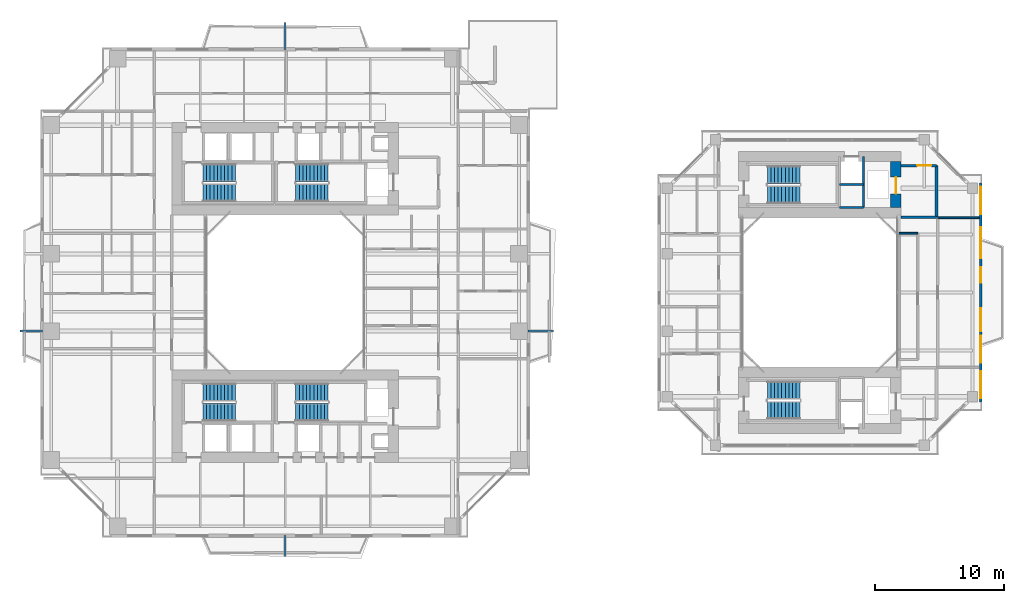
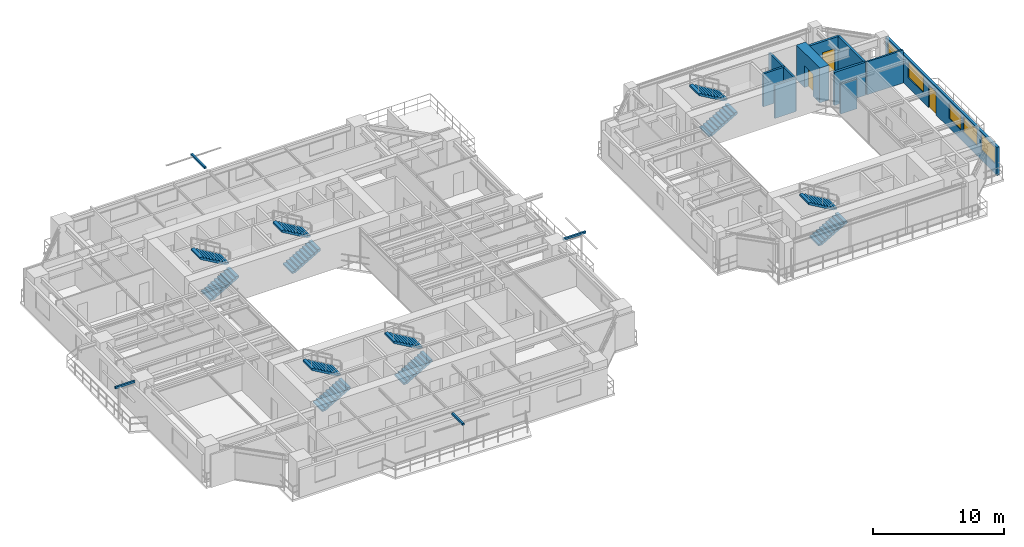
# One storey, part 18 of 23: 12 stair flights, 10 walls, 5 windows, 4 discrete accessories, 3 doors, 8 openings, 6 elements without a shape of their own.
"""IFC4 building model written with IfcOpenShell, lengths in metres."""

from ifc_helpers import new_model, si_unit, direction, frame, frame_2d, origin, origin_2d, place, context, subcontext, project, spatial, polyline, rectangle, outline, extrude, source, transform, mapped, material, layer, layer_set, type_object, element, fill, aggregate, save


model = new_model("IFC4")

# Units and contexts
model_context = context("Model", 3, precision=1e-05, world=origin(), true_north=direction((0.0, 1.0)))
body_context = subcontext(model_context, "Body", "Model", "MODEL_VIEW")
ifc_project = project(units=[si_unit("LENGTHUNIT", "METRE"), si_unit("AREAUNIT", "SQUARE_METRE"), si_unit("VOLUMEUNIT", "CUBIC_METRE"), si_unit("PLANEANGLEUNIT", "RADIAN"), si_unit("MASSUNIT", "GRAM", prefix="KILO"), si_unit("THERMODYNAMICTEMPERATUREUNIT", "KELVIN"), si_unit("POWERUNIT", "WATT")], contexts=[model_context])

# Site, building, storey
site_placement = place(None, origin())
site = spatial("IfcSite", under=ifc_project, at=site_placement, CompositionType="ELEMENT")
building_placement = place(site_placement, origin())
building = spatial("IfcBuilding", under=site, at=building_placement, Name="Qiaomeng Ring Towers", CompositionType="ELEMENT")
storey_placement = place(building_placement, frame((0.0, 0.0, 82.75)))
storey = spatial("IfcBuildingStorey", under=building, at=storey_placement, Name="L23", CompositionType="ELEMENT", Elevation=82.75)

# Wall, openings, windows, door
ifc_material_1 = material(Name="Precast concrete C40", Category="concrete")
ifc_layer_1 = layer(ifc_material_1, 0.219970703125, Name="Precast concrete C40")
ifc_layer_set_1 = layer_set([ifc_layer_1], Name="Precast concrete C40")
wall_type_1 = type_object("IfcWallType", Name="ARC-WL-EW2", PredefinedType="STANDARD", material=ifc_layer_set_1)
wall_1_placement = place(storey_placement, frame((72.989990234375, 14.5, 0.0), z_axis=(0.0, 0.0, 1.0), x_axis=(0.0, 1.0, 0.0)))
wall_1 = element("IfcWall", 1, at=wall_1_placement, inside=storey, type_object=wall_type_1, Name="L23 Companion East Wall", PredefinedType="STANDARD", context=body_context, shape_type="SweptSolid", body=[
    extrude(rectangle(XDim=17.0, YDim=0.219970703125, at=frame_2d((8.5, 0.0))), origin(), (0.0, 0.0, 1.0), 2.610107421875),
])
opening_1_placement = place(wall_1_placement, frame((9.25, 0.0, 0.0)))
opening_1 = element("IfcOpeningElement", 2, at=opening_1_placement, cuts=wall_1, Name="Opening BD1", PredefinedType="OPENING", context=body_context, shape_type="SweptSolid", body=[
    extrude(rectangle(XDim=1.199951171875, YDim=2.10009765625, at=frame_2d((0.60009765625, 1.050048828125))), frame((0.0, 0.119873046875, 0.0), z_axis=(0.0, -1.0, 0.0), x_axis=(1.0, 0.0, 0.0)), (0.0, 0.0, 1.0), 0.239990234375),
])
opening_2_placement = place(wall_1_placement, frame((0.3076171875, 0.0, 0.89990234375)))
opening_2 = element("IfcOpeningElement", 3, at=opening_2_placement, cuts=wall_1, Name="Opening WN4", PredefinedType="OPENING", context=body_context, shape_type="SweptSolid", body=[
    extrude(rectangle(XDim=2.10009765625, YDim=1.5, at=frame_2d((1.050048828125, 0.75))), frame((0.0, 0.119873046875, 0.0), z_axis=(0.0, -1.0, 0.0), x_axis=(1.0, 0.0, 0.0)), (0.0, 0.0, 1.0), 0.239990234375),
])
opening_3_placement = place(wall_1_placement, frame((5.47509765625, 0.0, 0.89990234375)))
opening_3 = element("IfcOpeningElement", 4, at=opening_3_placement, cuts=wall_1, Name="Opening WN1", PredefinedType="OPENING", context=body_context, shape_type="SweptSolid", body=[
    extrude(rectangle(XDim=1.800048828125, YDim=1.449951171875, at=frame_2d((0.89990234375, 0.72509765625))), frame((0.0, 0.119873046875, 0.0), z_axis=(0.0, -1.0, 0.0), x_axis=(1.0, 0.0, 0.0)), (0.0, 0.0, 1.0), 0.239990234375),
])
opening_4_placement = place(wall_1_placement, frame((14.592529296875, 0.0, 0.89990234375)))
opening_4 = element("IfcOpeningElement", 5, at=opening_4_placement, cuts=wall_1, Name="Opening WN4", PredefinedType="OPENING", context=body_context, shape_type="SweptSolid", body=[
    extrude(rectangle(XDim=2.10009765625, YDim=1.5, at=frame_2d((1.050048828125, 0.75))), frame((0.0, 0.119873046875, 0.0), z_axis=(0.0, -1.0, 0.0), x_axis=(1.0, 0.0, 0.0)), (0.0, 0.0, 1.0), 0.239990234375),
])
opening_5_placement = place(wall_1_placement, frame((3.054931640625, 0.0, 0.89990234375)))
opening_5 = element("IfcOpeningElement", 6, at=opening_5_placement, cuts=wall_1, Name="Opening WN4", PredefinedType="OPENING", context=body_context, shape_type="SweptSolid", body=[
    extrude(rectangle(XDim=2.10009765625, YDim=1.5, at=frame_2d((1.050048828125, 0.75))), frame((0.0, 0.119873046875, 0.0), z_axis=(0.0, -1.0, 0.0), x_axis=(1.0, 0.0, 0.0)), (0.0, 0.0, 1.0), 0.239990234375),
])
opening_6_placement = place(wall_1_placement, frame((11.16748046875, 0.0, 0.89990234375)))
opening_6 = element("IfcOpeningElement", 7, at=opening_6_placement, cuts=wall_1, Name="Opening WN6", PredefinedType="OPENING", context=body_context, shape_type="SweptSolid", body=[
    extrude(rectangle(XDim=2.39990234375, YDim=1.5, at=frame_2d((1.199951171875, 0.75))), frame((0.0, 0.119873046875, 0.0), z_axis=(0.0, -1.0, 0.0), x_axis=(1.0, 0.0, 0.0)), (0.0, 0.0, 1.0), 0.239990234375),
])
ifc_material_2 = material(Name="Low-E dark-grey laminated double glazing", Category="glass")
window_type_1 = type_object("IfcWindowType", Name="ARC-WN-4", PartitioningType="TRIPLE_PANEL_VERTICAL", PredefinedType="WINDOW", material=ifc_material_2)
shared_shape_1 = source(origin(), body_context, "Body", "SweptSolid", [
    extrude(rectangle(XDim=2.10009765625, YDim=1.5, at=frame_2d((1.050048828125, 0.75))), frame((0.0, 0.030029296875, 0.0), z_axis=(0.0, -1.0, 0.0), x_axis=(1.0, 0.0, 0.0)), (0.0, 0.0, 1.0), 0.06005859375),
])
window_1_placement = place(opening_2_placement, origin())
window_1 = element("IfcWindow", 8, at=window_1_placement, inside=storey, type_object=window_type_1, Name="L23 Exterior Window WN6", OverallHeight=1.5, OverallWidth=2.10009765625, PartitioningType="TRIPLE_PANEL_VERTICAL", PredefinedType="WINDOW", context=body_context, shape_type="MappedRepresentation", body=[
    mapped(shared_shape_1, transform((0.0, 0.0, 0.0), x_axis=(1.0, 0.0, 0.0), y_axis=(0.0, 1.0, 0.0), z_axis=(0.0, 0.0, 1.0), scale=1.0)),
])
fill(opening_2, window_1)
window_2_placement = place(opening_4_placement, origin())
window_2 = element("IfcWindow", 9, at=window_2_placement, inside=storey, type_object=window_type_1, Name="L23 Exterior Window WN4", OverallHeight=1.5, OverallWidth=2.10009765625, PartitioningType="TRIPLE_PANEL_VERTICAL", PredefinedType="WINDOW", context=body_context, shape_type="MappedRepresentation", body=[
    mapped(shared_shape_1, transform((0.0, 0.0, 0.0), x_axis=(1.0, 0.0, 0.0), y_axis=(0.0, 1.0, 0.0), z_axis=(0.0, 0.0, 1.0), scale=1.0)),
])
fill(opening_4, window_2)
window_3_placement = place(opening_5_placement, origin())
window_3 = element("IfcWindow", 10, at=window_3_placement, inside=storey, type_object=window_type_1, Name="L23 Exterior Window WN4", OverallHeight=1.5, OverallWidth=2.10009765625, PartitioningType="TRIPLE_PANEL_VERTICAL", PredefinedType="WINDOW", context=body_context, shape_type="MappedRepresentation", body=[
    mapped(shared_shape_1, transform((0.0, 0.0, 0.0), x_axis=(1.0, 0.0, 0.0), y_axis=(0.0, 1.0, 0.0), z_axis=(0.0, 0.0, 1.0), scale=1.0)),
])
fill(opening_5, window_3)
window_type_2 = type_object("IfcWindowType", Name="ARC-WN-1", PartitioningType="DOUBLE_PANEL_VERTICAL", PredefinedType="WINDOW", material=ifc_material_2)
shared_shape_2 = source(origin(), body_context, "Body", "SweptSolid", [
    extrude(rectangle(XDim=1.800048828125, YDim=1.449951171875, at=frame_2d((0.89990234375, 0.72509765625))), frame((0.0, 0.030029296875, 0.0), z_axis=(0.0, -1.0, 0.0), x_axis=(1.0, 0.0, 0.0)), (0.0, 0.0, 1.0), 0.06005859375),
])
window_4_placement = place(opening_3_placement, origin())
window_4 = element("IfcWindow", 11, at=window_4_placement, inside=storey, type_object=window_type_2, Name="L23 Exterior Window WN1", OverallHeight=1.449951171875, OverallWidth=1.800048828125, PartitioningType="DOUBLE_PANEL_VERTICAL", PredefinedType="WINDOW", context=body_context, shape_type="MappedRepresentation", body=[
    mapped(shared_shape_2, transform((0.0, 0.0, 0.0), x_axis=(1.0, 0.0, 0.0), y_axis=(0.0, 1.0, 0.0), z_axis=(0.0, 0.0, 1.0), scale=1.0)),
])
fill(opening_3, window_4)
door_type_1 = type_object("IfcDoorType", Name="ARC-DR-BD1", OperationType="NOTDEFINED", PredefinedType="DOOR", material=ifc_material_2)
shared_shape_3 = source(origin(), body_context, "Body", "SweptSolid", [
    extrude(rectangle(XDim=1.199951171875, YDim=2.10009765625, at=frame_2d((0.60009765625, 1.050048828125))), frame((0.0, 0.02490234375, 0.0), z_axis=(0.0, -1.0, 0.0), x_axis=(1.0, 0.0, 0.0)), (0.0, 0.0, 1.0), 0.050048828125),
])
door_1_placement = place(opening_1_placement, origin())
door_1 = element("IfcDoor", 12, at=door_1_placement, inside=storey, type_object=door_type_1, Name="L23 Companion East Balcony Door", OperationType="SINGLE_SWING_LEFT", OverallHeight=2.10009765625, OverallWidth=1.199951171875, PredefinedType="DOOR", context=body_context, shape_type="MappedRepresentation", body=[
    mapped(shared_shape_3, transform((0.0, 0.0, 0.0), x_axis=(1.0, 0.0, 0.0), y_axis=(0.0, 1.0, 0.0), z_axis=(0.0, 0.0, 1.0), scale=1.0)),
])
fill(opening_1, door_1)
window_type_3 = type_object("IfcWindowType", Name="ARC-WN-6", PartitioningType="TRIPLE_PANEL_VERTICAL", PredefinedType="WINDOW", material=ifc_material_2)
shared_shape_4 = source(origin(), body_context, "Body", "SweptSolid", [
    extrude(rectangle(XDim=2.39990234375, YDim=1.5, at=frame_2d((1.199951171875, 0.75))), frame((0.0, 0.030029296875, 0.0), z_axis=(0.0, -1.0, 0.0), x_axis=(1.0, 0.0, 0.0)), (0.0, 0.0, 1.0), 0.06005859375),
])
window_5_placement = place(opening_6_placement, origin())
window_5 = element("IfcWindow", 13, at=window_5_placement, inside=storey, type_object=window_type_3, Name="L23 Exterior Window WN6", OverallHeight=1.5, OverallWidth=2.39990234375, PartitioningType="TRIPLE_PANEL_VERTICAL", PredefinedType="WINDOW", context=body_context, shape_type="MappedRepresentation", body=[
    mapped(shared_shape_4, transform((0.0, 0.0, 0.0), x_axis=(1.0, 0.0, 0.0), y_axis=(0.0, 1.0, 0.0), z_axis=(0.0, 0.0, 1.0), scale=1.0)),
])
fill(opening_6, window_5)

# Walls
ifc_material_3 = material(Name="Autoclaved aerated concrete block", Category="concrete")
ifc_layer_2 = layer(ifc_material_3, 0.199951171875, Name="Autoclaved aerated concrete block")
ifc_layer_set_2 = layer_set([ifc_layer_2], Name="Autoclaved aerated concrete block")
wall_type_2 = type_object("IfcWallType", Name="ARC-WL-PW1", PredefinedType="PARTITIONING", material=ifc_layer_set_2)
wall_2_placement = place(storey_placement, frame((66.800048828125, 28.85009765625, 0.0), z_axis=(0.0, 0.0, 1.0), x_axis=(1.0, 0.0, 0.0)))
element("IfcWall", 14, at=wall_2_placement, inside=storey, type_object=wall_type_2, Name="L23 Interior Wall PW1", PredefinedType="PARTITIONING", context=body_context, shape_type="SweptSolid", body=[
    extrude(rectangle(XDim=2.75, YDim=0.199951171875, at=frame_2d((1.375, 0.0))), origin(), (0.0, 0.0, 1.0), 3.070068359375),
])
wall_3_placement = place(storey_placement, frame((69.550048828125, 28.85009765625, 0.0), z_axis=(0.0, 0.0, 1.0), x_axis=(0.0, 1.0, 0.0)))
element("IfcWall", 15, at=wall_3_placement, inside=storey, type_object=wall_type_2, Name="L23 Interior Wall PW1", PredefinedType="PARTITIONING", context=body_context, shape_type="SweptSolid", body=[
    extrude(rectangle(XDim=4.0, YDim=0.199951171875, at=frame_2d((2.0, 0.0))), origin(), (0.0, 0.0, 1.0), 3.070068359375),
])

# Wall, opening, door
wall_4_placement = place(storey_placement, frame((66.800048828125, 32.85009765625, 0.0), z_axis=(0.0, 0.0, 1.0), x_axis=(1.0, 0.0, 0.0)))
wall_4 = element("IfcWall", 16, at=wall_4_placement, inside=storey, type_object=wall_type_2, Name="L23 Interior Wall PW1", PredefinedType="PARTITIONING", context=body_context, shape_type="SweptSolid", body=[
    extrude(rectangle(XDim=2.75, YDim=0.199951171875, at=frame_2d((1.375, 0.0))), origin(), (0.0, 0.0, 1.0), 3.070068359375),
])
opening_7_placement = place(wall_4_placement, frame((1.25, 0.0, 0.0)))
opening_7 = element("IfcOpeningElement", 17, at=opening_7_placement, cuts=wall_4, Name="Opening FD3", PredefinedType="OPENING", context=body_context, shape_type="SweptSolid", body=[
    extrude(rectangle(XDim=1.10009765625, YDim=2.050048828125, at=frame_2d((0.550048828125, 1.02490234375))), frame((0.0, 0.10986328125, 0.0), z_axis=(0.0, -1.0, 0.0), x_axis=(1.0, 0.0, 0.0)), (0.0, 0.0, 1.0), 0.219970703125),
])
ifc_material_4 = material(Name="Galvanised steel", Category="steel")
door_type_2 = type_object("IfcDoorType", Name="ARC-DR-FD3", OperationType="NOTDEFINED", PredefinedType="DOOR", material=ifc_material_4)
shared_shape_5 = source(origin(), body_context, "Body", "SweptSolid", [
    extrude(rectangle(XDim=1.10009765625, YDim=2.050048828125, at=frame_2d((0.550048828125, 1.02490234375))), frame((0.0, 0.02490234375, 0.0), z_axis=(0.0, -1.0, 0.0), x_axis=(1.0, 0.0, 0.0)), (0.0, 0.0, 1.0), 0.050048828125),
])
door_2_placement = place(opening_7_placement, origin())
door_2 = element("IfcDoor", 18, at=door_2_placement, inside=storey, type_object=door_type_2, Name="L23 Door FD3", OperationType="SINGLE_SWING_LEFT", OverallHeight=2.050048828125, OverallWidth=1.10009765625, PredefinedType="DOOR", context=body_context, shape_type="MappedRepresentation", body=[
    mapped(shared_shape_5, transform((0.0, 0.0, 0.0), x_axis=(1.0, 0.0, 0.0), y_axis=(0.0, 1.0, 0.0), z_axis=(0.0, 0.0, 1.0), scale=1.0)),
])
fill(opening_7, door_2)

# Walls
ifc_material_5 = material(Name="Gypsum fireboard steel-stud partition", Category="steel")
ifc_layer_3 = layer(ifc_material_5, 0.14990234375, Name="Gypsum fireboard steel-stud partition")
ifc_layer_set_3 = layer_set([ifc_layer_3], Name="Gypsum fireboard steel-stud partition")
wall_type_3 = type_object("IfcWallType", Name="ARC-WL-PW3", PredefinedType="PARTITIONING", material=ifc_layer_set_3)
wall_5_placement = place(storey_placement, frame((69.64990234375, 28.800048828125, 0.0), z_axis=(0.0, 0.0, 1.0), x_axis=(1.0, 0.0, 0.0)))
element("IfcWall", 19, at=wall_5_placement, inside=storey, type_object=wall_type_3, Name="L23 Interior Wall PW3", PredefinedType="PARTITIONING", context=body_context, shape_type="SweptSolid", body=[
    extrude(rectangle(XDim=3.2001953125, YDim=0.14990234375, at=frame_2d((1.60009765625, 0.0))), origin(), (0.0, 0.0, 1.0), 3.070068359375),
])
wall_6_placement = place(storey_placement, frame((66.64990234375, 27.60009765625, 0.0), z_axis=(0.0, 0.0, 1.0), x_axis=(1.0, 0.0, 0.0)))
element("IfcWall", 20, at=wall_6_placement, inside=storey, type_object=wall_type_3, Name="L23 Interior Wall PW3", PredefinedType="PARTITIONING", context=body_context, shape_type="SweptSolid", body=[
    extrude(rectangle(XDim=1.4501953125, YDim=0.14990234375, at=frame_2d((0.72509765625, 0.0))), origin(), (0.0, 0.0, 1.0), 2.77099609375),
])
ifc_material_6 = material(Name="Concrete C40", Category="concrete")
ifc_layer_4 = layer(ifc_material_6, 0.199951171875, Name="Concrete C40")
ifc_layer_set_4 = layer_set([ifc_layer_4], Name="Concrete C40")
wall_type_4 = type_object("IfcWallType", Name="STR-WL-STSHAFT", PredefinedType="SHEAR", material=ifc_layer_set_4)
wall_7_placement = place(storey_placement, frame((63.8798828125, 29.60009765625, 0.0), z_axis=(0.0, 0.0, 1.0), x_axis=(0.0, 1.0, 0.0)))
element("IfcWall", 21, at=wall_7_placement, inside=storey, type_object=wall_type_4, Name="L23 Companion Lift Shaft East Wall N", PredefinedType="SHEAR", context=body_context, shape_type="SweptSolid", body=[
    extrude(rectangle(XDim=3.949951171875, YDim=0.179931640625, at=frame_2d((1.97509765625, 0.0))), origin(), (0.0, 0.0, 1.0), 3.070068359375),
])
for number, where, z_axis, x_axis, name in (
    (22, (62.02001953125, 31.3798828125, 0.0), (0.0, 0.0, 1.0), (1.0, 0.0, 0.0), "L23 Companion Lift Shaft Divider Wall N"),
    (23, (62.02001953125, 29.60009765625, 0.0), (0.0, 0.0, 1.0), (1.0, 0.0, 0.0), "L23 Companion Riser Shaft Back Wall N"),
):
    element("IfcWall", number, at=place(storey_placement, frame(where, z_axis=z_axis, x_axis=x_axis)), inside=storey, type_object=wall_type_4, Name=name, PredefinedType="SHEAR", context=body_context, shape_type="SweptSolid", body=[
        extrude(rectangle(XDim=1.85986328125, YDim=0.179931640625, at=frame_2d((0.929931640625, 0.0))), origin(), (0.0, 0.0, 1.0), 3.070068359375),
    ])

# Wall, opening, door
ifc_material_7 = material(Name="Concrete C60", Category="concrete")
ifc_layer_5 = layer(ifc_material_7, 0.800048828125, Name="Concrete C60")
ifc_layer_set_5 = layer_set([ifc_layer_5], Name="Concrete C60")
wall_type_5 = type_object("IfcWallType", Name="STR-WL-SW1", PredefinedType="SHEAR", material=ifc_layer_set_5)
wall_8_placement = place(storey_placement, frame((66.39990234375, 29.60009765625, 0.0), z_axis=(0.0, 0.0, 1.0), x_axis=(0.0, 1.0, 0.0)))
wall_8 = element("IfcWall", 24, at=wall_8_placement, inside=storey, type_object=wall_type_5, Name="L23 T2NC east core shear wall", PredefinedType="SHEAR", context=body_context, shape_type="SweptSolid", body=[
    extrude(rectangle(XDim=3.5498046875, YDim=0.800048828125, at=frame_2d((1.77490234375, 0.0))), origin(), (0.0, 0.0, 1.0), 3.25),
])
opening_8_placement = place(wall_8_placement, frame((1.050048828125, 0.0, 0.0)))
opening_8 = element("IfcOpeningElement", 25, at=opening_8_placement, cuts=wall_8, Name="Opening LD2", PredefinedType="OPENING", context=body_context, shape_type="SweptSolid", body=[
    extrude(rectangle(XDim=1.300048828125, YDim=2.050048828125, at=frame_2d((0.64990234375, 1.02490234375))), frame((0.0, 0.409912109375, 0.0), z_axis=(0.0, -1.0, 0.0), x_axis=(1.0, 0.0, 0.0)), (0.0, 0.0, 1.0), 0.820068359375),
])
ifc_material_8 = material(Name="Stainless steel 316", Category="steel")
door_type_3 = type_object("IfcDoorType", Name="ARC-DR-LD2", OperationType="NOTDEFINED", PredefinedType="DOOR", material=ifc_material_8)
shared_shape_6 = source(origin(), body_context, "Body", "SweptSolid", [
    extrude(rectangle(XDim=1.300048828125, YDim=2.050048828125, at=frame_2d((0.64990234375, 1.02490234375))), frame((0.0, 0.02490234375, 0.0), z_axis=(0.0, -1.0, 0.0), x_axis=(1.0, 0.0, 0.0)), (0.0, 0.0, 1.0), 0.050048828125),
])
door_3_placement = place(opening_8_placement, origin())
door_3 = element("IfcDoor", 26, at=door_3_placement, inside=storey, type_object=door_type_3, Name="L23 Firefighting Lift FL3 Landing Door", OperationType="SLIDING_TO_LEFT", OverallHeight=2.050048828125, OverallWidth=1.300048828125, PredefinedType="DOOR", context=body_context, shape_type="MappedRepresentation", body=[
    mapped(shared_shape_6, transform((0.0, 0.0, 0.0), x_axis=(1.0, 0.0, 0.0), y_axis=(0.0, 1.0, 0.0), z_axis=(0.0, 0.0, 1.0), scale=1.0)),
])
fill(opening_8, door_3)

# Stair, stair flights
stair_type = type_object("IfcStairType", Name="ARC-ST-325", PredefinedType="HALF_TURN_STAIR", material=ifc_material_1)
stair_1_placement = place(storey_placement, origin())
stair_1 = element("IfcStair", 27, at=stair_1_placement, inside=storey, type_object=stair_type, Name="L23 Tower 1 North Stair 1", PredefinedType="HALF_TURN_STAIR")
stair_flight_type = type_object("IfcStairFlightType", Name="ARC-ST-325-FL", PredefinedType="STRAIGHT", material=ifc_material_1)
shared_shape_7 = source(origin(), body_context, "Body", "SweptSolid", [
    extrude(outline(polyline([(0.0, 0.0), (0.0, 0.16259765625), (0.280029296875, 0.16259765625), (0.280029296875, 0.324951171875), (0.56005859375, 0.324951171875), (0.56005859375, 0.487548828125), (0.840087890625, 0.487548828125), (0.840087890625, 0.64990234375), (1.1201171875, 0.64990234375), (1.1201171875, 0.8125), (1.39990234375, 0.8125), (1.39990234375, 0.97509765625), (1.679931640625, 0.97509765625), (1.679931640625, 1.137451171875), (1.9599609375, 1.137451171875), (1.9599609375, 1.300048828125), (2.239990234375, 1.300048828125), (2.239990234375, 1.46240234375), (2.52001953125, 1.46240234375), (2.52001953125, 1.625), (2.52001953125, 1.2890625), (0.298583984375, 0.0), (0.0, 0.0)])), frame((0.0, 0.699951171875, 0.0), z_axis=(0.0, -1.0, 0.0), x_axis=(1.0, 0.0, 0.0)), (0.0, 0.0, 1.0), 1.39990234375),
])
stair_flight_1_placement = place(storey_placement, frame((12.6201171875, 30.75, 0.0), z_axis=(0.0, 0.0, 1.0), x_axis=(1.0, 0.0, 0.0)))
stair_flight_1 = element("IfcStairFlight", 28, at=stair_flight_1_placement, type_object=stair_flight_type, Name="ST1 flight 1", NumberOfRisers=10, NumberOfTreads=9, PredefinedType="STRAIGHT", RiserHeight=0.1625, TreadLength=0.28, context=body_context, shape_type="MappedRepresentation", body=[
    mapped(shared_shape_7, transform((0.0, 0.0, 0.0), x_axis=(1.0, 0.0, 0.0), y_axis=(0.0, 1.0, 0.0), z_axis=(0.0, 0.0, 1.0), scale=1.0)),
])
stair_flight_2_placement = place(storey_placement, frame((15.139892578125, 32.2900390625, 1.625), z_axis=(0.0, 0.0, 1.0), x_axis=(-1.0, 0.0, 0.0)))
stair_flight_2 = element("IfcStairFlight", 29, at=stair_flight_2_placement, type_object=stair_flight_type, Name="ST1 flight 2", NumberOfRisers=10, NumberOfTreads=9, PredefinedType="STRAIGHT", RiserHeight=0.1625, TreadLength=0.28, context=body_context, shape_type="MappedRepresentation", body=[
    mapped(shared_shape_7, transform((0.0, 0.0, 0.0), x_axis=(1.0, 0.0, 0.0), y_axis=(0.0, 1.0, 0.0), z_axis=(0.0, 0.0, 1.0), scale=1.0)),
])
aggregate(stair_1, [stair_flight_1, stair_flight_2])

stair_2_placement = place(storey_placement, origin())
stair_2 = element("IfcStair", 30, at=stair_2_placement, inside=storey, type_object=stair_type, Name="L23 Tower 1 North Stair 2", PredefinedType="HALF_TURN_STAIR")
stair_flight_3_placement = place(storey_placement, frame((19.820068359375, 30.75, 0.0), z_axis=(0.0, 0.0, 1.0), x_axis=(1.0, 0.0, 0.0)))
stair_flight_3 = element("IfcStairFlight", 31, at=stair_flight_3_placement, type_object=stair_flight_type, Name="ST2 flight 1", NumberOfRisers=10, NumberOfTreads=9, PredefinedType="STRAIGHT", RiserHeight=0.1625, TreadLength=0.28, context=body_context, shape_type="MappedRepresentation", body=[
    mapped(shared_shape_7, transform((0.0, 0.0, 0.0), x_axis=(1.0, 0.0, 0.0), y_axis=(0.0, 1.0, 0.0), z_axis=(0.0, 0.0, 1.0), scale=1.0)),
])
stair_flight_4_placement = place(storey_placement, frame((22.340087890625, 32.2900390625, 1.625), z_axis=(0.0, 0.0, 1.0), x_axis=(-1.0, 0.0, 0.0)))
stair_flight_4 = element("IfcStairFlight", 32, at=stair_flight_4_placement, type_object=stair_flight_type, Name="ST2 flight 2", NumberOfRisers=10, NumberOfTreads=9, PredefinedType="STRAIGHT", RiserHeight=0.1625, TreadLength=0.28, context=body_context, shape_type="MappedRepresentation", body=[
    mapped(shared_shape_7, transform((0.0, 0.0, 0.0), x_axis=(1.0, 0.0, 0.0), y_axis=(0.0, 1.0, 0.0), z_axis=(0.0, 0.0, 1.0), scale=1.0)),
])
aggregate(stair_2, [stair_flight_3, stair_flight_4])

stair_3_placement = place(storey_placement, origin())
stair_3 = element("IfcStair", 33, at=stair_3_placement, inside=storey, type_object=stair_type, Name="L23 Tower 1 South Stair 3", PredefinedType="HALF_TURN_STAIR")
stair_flight_5_placement = place(storey_placement, frame((12.6201171875, 13.7099609375, 0.0), z_axis=(0.0, 0.0, 1.0), x_axis=(1.0, 0.0, 0.0)))
stair_flight_5 = element("IfcStairFlight", 34, at=stair_flight_5_placement, type_object=stair_flight_type, Name="ST3 flight 1", NumberOfRisers=10, NumberOfTreads=9, PredefinedType="STRAIGHT", RiserHeight=0.1625, TreadLength=0.28, context=body_context, shape_type="MappedRepresentation", body=[
    mapped(shared_shape_7, transform((0.0, 0.0, 0.0), x_axis=(1.0, 0.0, 0.0), y_axis=(0.0, 1.0, 0.0), z_axis=(0.0, 0.0, 1.0), scale=1.0)),
])
stair_flight_6_placement = place(storey_placement, frame((15.139892578125, 15.25, 1.625), z_axis=(0.0, 0.0, 1.0), x_axis=(-1.0, 0.0, 0.0)))
stair_flight_6 = element("IfcStairFlight", 35, at=stair_flight_6_placement, type_object=stair_flight_type, Name="ST3 flight 2", NumberOfRisers=10, NumberOfTreads=9, PredefinedType="STRAIGHT", RiserHeight=0.1625, TreadLength=0.28, context=body_context, shape_type="MappedRepresentation", body=[
    mapped(shared_shape_7, transform((0.0, 0.0, 0.0), x_axis=(1.0, 0.0, 0.0), y_axis=(0.0, 1.0, 0.0), z_axis=(0.0, 0.0, 1.0), scale=1.0)),
])
aggregate(stair_3, [stair_flight_5, stair_flight_6])

stair_4_placement = place(storey_placement, origin())
stair_4 = element("IfcStair", 36, at=stair_4_placement, inside=storey, type_object=stair_type, Name="L23 Tower 1 South Stair 4", PredefinedType="HALF_TURN_STAIR")
stair_flight_7_placement = place(storey_placement, frame((19.820068359375, 13.7099609375, 0.0), z_axis=(0.0, 0.0, 1.0), x_axis=(1.0, 0.0, 0.0)))
stair_flight_7 = element("IfcStairFlight", 37, at=stair_flight_7_placement, type_object=stair_flight_type, Name="ST4 flight 1", NumberOfRisers=10, NumberOfTreads=9, PredefinedType="STRAIGHT", RiserHeight=0.1625, TreadLength=0.28, context=body_context, shape_type="MappedRepresentation", body=[
    mapped(shared_shape_7, transform((0.0, 0.0, 0.0), x_axis=(1.0, 0.0, 0.0), y_axis=(0.0, 1.0, 0.0), z_axis=(0.0, 0.0, 1.0), scale=1.0)),
])
stair_flight_8_placement = place(storey_placement, frame((22.340087890625, 15.25, 1.625), z_axis=(0.0, 0.0, 1.0), x_axis=(-1.0, 0.0, 0.0)))
stair_flight_8 = element("IfcStairFlight", 38, at=stair_flight_8_placement, type_object=stair_flight_type, Name="ST4 flight 2", NumberOfRisers=10, NumberOfTreads=9, PredefinedType="STRAIGHT", RiserHeight=0.1625, TreadLength=0.28, context=body_context, shape_type="MappedRepresentation", body=[
    mapped(shared_shape_7, transform((0.0, 0.0, 0.0), x_axis=(1.0, 0.0, 0.0), y_axis=(0.0, 1.0, 0.0), z_axis=(0.0, 0.0, 1.0), scale=1.0)),
])
aggregate(stair_4, [stair_flight_7, stair_flight_8])

stair_5_placement = place(storey_placement, origin())
stair_5 = element("IfcStair", 39, at=stair_5_placement, inside=storey, type_object=stair_type, Name="L23 Companion North Stair 5", PredefinedType="HALF_TURN_STAIR")
stair_flight_9_placement = place(storey_placement, frame((56.419921875, 30.60009765625, 0.0), z_axis=(0.0, 0.0, 1.0), x_axis=(1.0, 0.0, 0.0)))
stair_flight_9 = element("IfcStairFlight", 40, at=stair_flight_9_placement, type_object=stair_flight_type, Name="ST5 flight 1", NumberOfRisers=10, NumberOfTreads=9, PredefinedType="STRAIGHT", RiserHeight=0.1625, TreadLength=0.28, context=body_context, shape_type="MappedRepresentation", body=[
    mapped(shared_shape_7, transform((0.0, 0.0, 0.0), x_axis=(1.0, 0.0, 0.0), y_axis=(0.0, 1.0, 0.0), z_axis=(0.0, 0.0, 1.0), scale=1.0)),
])
stair_flight_10_placement = place(storey_placement, frame((58.93994140625, 32.139892578125, 1.625), z_axis=(0.0, 0.0, 1.0), x_axis=(-1.0, 0.0, 0.0)))
stair_flight_10 = element("IfcStairFlight", 41, at=stair_flight_10_placement, type_object=stair_flight_type, Name="ST5 flight 2", NumberOfRisers=10, NumberOfTreads=9, PredefinedType="STRAIGHT", RiserHeight=0.1625, TreadLength=0.28, context=body_context, shape_type="MappedRepresentation", body=[
    mapped(shared_shape_7, transform((0.0, 0.0, 0.0), x_axis=(1.0, 0.0, 0.0), y_axis=(0.0, 1.0, 0.0), z_axis=(0.0, 0.0, 1.0), scale=1.0)),
])
aggregate(stair_5, [stair_flight_9, stair_flight_10])

stair_6_placement = place(storey_placement, origin())
stair_6 = element("IfcStair", 42, at=stair_6_placement, inside=storey, type_object=stair_type, Name="L23 Companion South Stair 6", PredefinedType="HALF_TURN_STAIR")
stair_flight_11_placement = place(storey_placement, frame((56.419921875, 13.860107421875, 0.0), z_axis=(0.0, 0.0, 1.0), x_axis=(1.0, 0.0, 0.0)))
stair_flight_11 = element("IfcStairFlight", 43, at=stair_flight_11_placement, type_object=stair_flight_type, Name="ST6 flight 1", NumberOfRisers=10, NumberOfTreads=9, PredefinedType="STRAIGHT", RiserHeight=0.1625, TreadLength=0.28, context=body_context, shape_type="MappedRepresentation", body=[
    mapped(shared_shape_7, transform((0.0, 0.0, 0.0), x_axis=(1.0, 0.0, 0.0), y_axis=(0.0, 1.0, 0.0), z_axis=(0.0, 0.0, 1.0), scale=1.0)),
])
stair_flight_12_placement = place(storey_placement, frame((58.93994140625, 15.39990234375, 1.625), z_axis=(0.0, 0.0, 1.0), x_axis=(-1.0, 0.0, 0.0)))
stair_flight_12 = element("IfcStairFlight", 44, at=stair_flight_12_placement, type_object=stair_flight_type, Name="ST6 flight 2", NumberOfRisers=10, NumberOfTreads=9, PredefinedType="STRAIGHT", RiserHeight=0.1625, TreadLength=0.28, context=body_context, shape_type="MappedRepresentation", body=[
    mapped(shared_shape_7, transform((0.0, 0.0, 0.0), x_axis=(1.0, 0.0, 0.0), y_axis=(0.0, 1.0, 0.0), z_axis=(0.0, 0.0, 1.0), scale=1.0)),
])
aggregate(stair_6, [stair_flight_11, stair_flight_12])

# Discrete accessories
discrete_accessory_type = type_object("IfcDiscreteAccessoryType", Name="ARC-ACC-BRACKET", PredefinedType="BRACKET", material=ifc_material_8)
shared_shape_8 = source(origin(), body_context, "Body", "SweptSolid", [
    extrude(rectangle(XDim=0.159912109375, YDim=1.64990234375, at=origin_2d()), origin(), (0.0, 0.0, 1.0), 0.179931640625),
])
discrete_accessory_1_placement = place(storey_placement, frame((19.0, 3.324951171875, 2.89990234375), z_axis=(0.0, 0.0, 1.0), x_axis=(1.0, 0.0, 0.0)))
element("IfcDiscreteAccessory", 45, at=discrete_accessory_1_placement, inside=storey, type_object=discrete_accessory_type, Name="L23 Stainless Outer-Skin Tie Bracket S", PredefinedType="BRACKET", context=body_context, shape_type="MappedRepresentation", body=[
    mapped(shared_shape_8, transform((0.0, 0.0, 0.0), x_axis=(1.0, 0.0, 0.0), y_axis=(0.0, 1.0, 0.0), z_axis=(0.0, 0.0, 1.0), scale=1.0)),
])
shared_shape_9 = source(origin(), body_context, "Body", "SweptSolid", [
    extrude(rectangle(XDim=1.989990234375, YDim=0.159912109375, at=origin_2d()), origin(), (0.0, 0.0, 1.0), 0.179931640625),
])
discrete_accessory_2_placement = place(storey_placement, frame((38.844970703125, 20.0, 2.89990234375), z_axis=(0.0, 0.0, 1.0), x_axis=(1.0, 0.0, 0.0)))
element("IfcDiscreteAccessory", 46, at=discrete_accessory_2_placement, inside=storey, type_object=discrete_accessory_type, Name="L23 Stainless Outer-Skin Tie Bracket E", PredefinedType="BRACKET", context=body_context, shape_type="MappedRepresentation", body=[
    mapped(shared_shape_9, transform((0.0, 0.0, 0.0), x_axis=(1.0, 0.0, 0.0), y_axis=(0.0, 1.0, 0.0), z_axis=(0.0, 0.0, 1.0), scale=1.0)),
])
shared_shape_10 = source(origin(), body_context, "Body", "SweptSolid", [
    extrude(rectangle(XDim=0.159912109375, YDim=2.090087890625, at=origin_2d()), origin(), (0.0, 0.0, 1.0), 0.179931640625),
])
discrete_accessory_3_placement = place(storey_placement, frame((19.0, 42.89501953125, 2.89990234375), z_axis=(0.0, 0.0, 1.0), x_axis=(1.0, 0.0, 0.0)))
element("IfcDiscreteAccessory", 47, at=discrete_accessory_3_placement, inside=storey, type_object=discrete_accessory_type, Name="L23 Stainless Outer-Skin Tie Bracket N", PredefinedType="BRACKET", context=body_context, shape_type="MappedRepresentation", body=[
    mapped(shared_shape_10, transform((0.0, 0.0, 0.0), x_axis=(1.0, 0.0, 0.0), y_axis=(0.0, 1.0, 0.0), z_axis=(0.0, 0.0, 1.0), scale=1.0)),
])
shared_shape_11 = source(origin(), body_context, "Body", "SweptSolid", [
    extrude(rectangle(XDim=1.72998046875, YDim=0.159912109375, at=origin_2d()), origin(), (0.0, 0.0, 1.0), 0.179931640625),
])
discrete_accessory_4_placement = place(storey_placement, frame((-0.715087890625, 20.0, 2.89990234375), z_axis=(0.0, 0.0, 1.0), x_axis=(1.0, 0.0, 0.0)))
element("IfcDiscreteAccessory", 48, at=discrete_accessory_4_placement, inside=storey, type_object=discrete_accessory_type, Name="L23 Stainless Outer-Skin Tie Bracket W", PredefinedType="BRACKET", context=body_context, shape_type="MappedRepresentation", body=[
    mapped(shared_shape_11, transform((0.0, 0.0, 0.0), x_axis=(1.0, 0.0, 0.0), y_axis=(0.0, 1.0, 0.0), z_axis=(0.0, 0.0, 1.0), scale=1.0)),
])

save(model, "model.ifc")
